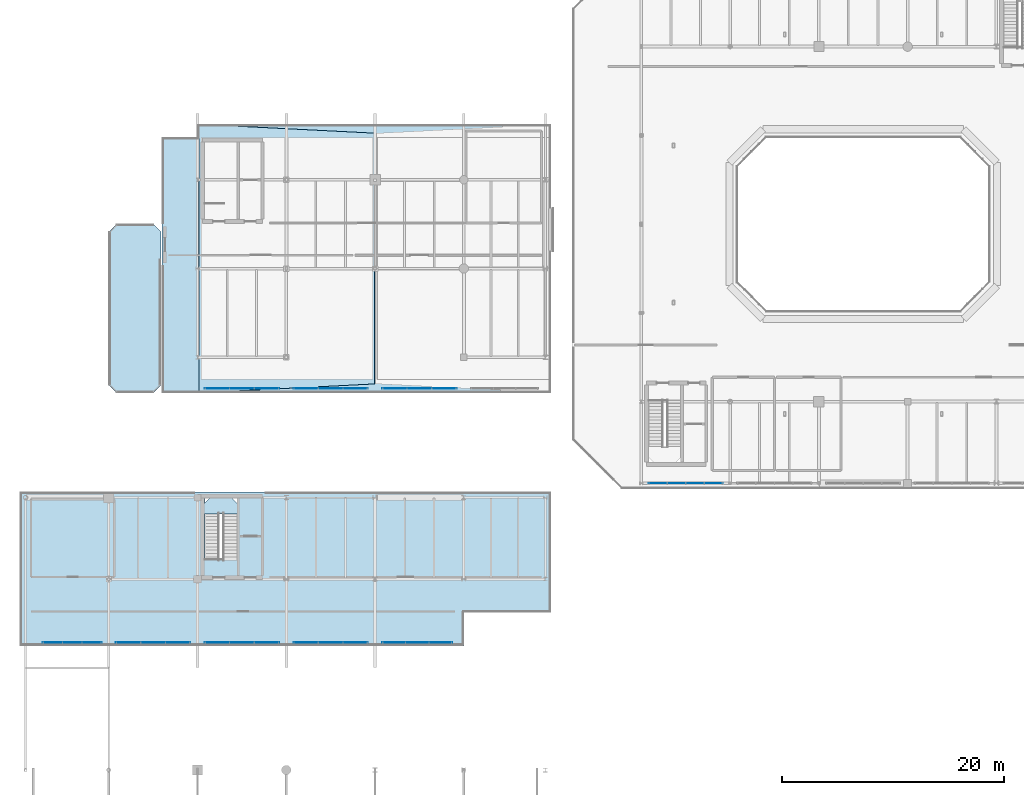
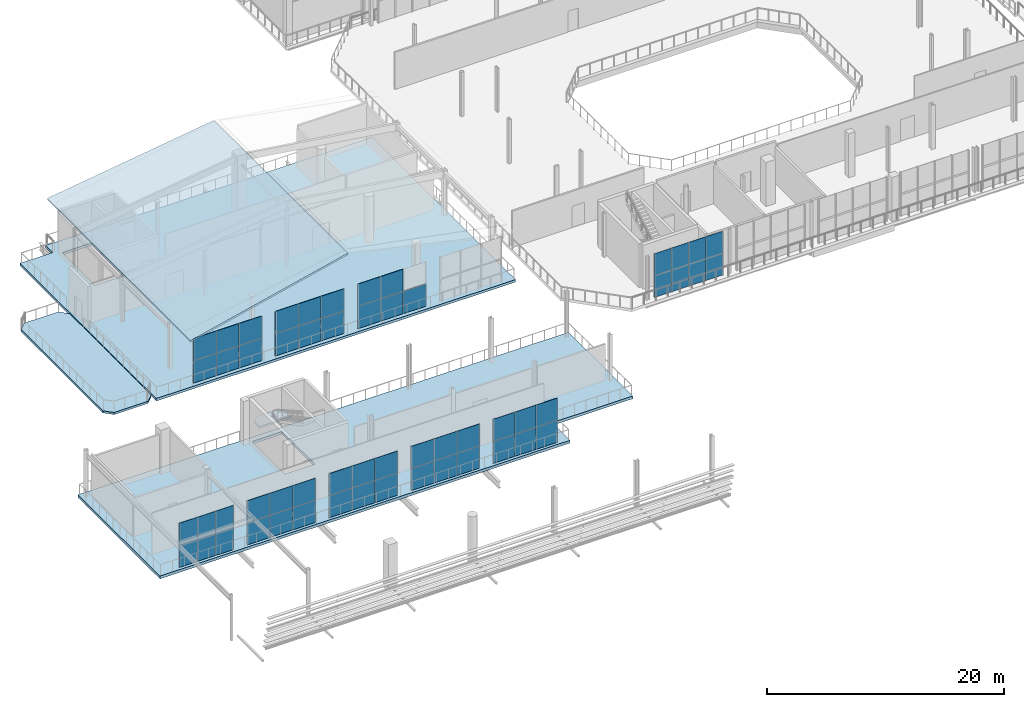
# One storey, part 42 of 70: 55 plates, 5 slabs, 10 elements without a shape of their own.
"""IFC4 building model written with IfcOpenShell, lengths in metres."""

from ifc_helpers import new_model, si_unit, direction, frame, origin, origin_2d, place, context, subcontext, project, spatial, polyline, rectangle, outline, extrude, material, layer, layer_set, type_object, element, aggregate, save


model = new_model("IFC4")

# Units and contexts
model_context = context("Model", 3, precision=1e-05, world=origin(), true_north=direction((0.0, 1.0)))
body_context = subcontext(model_context, "Body", "Model", "MODEL_VIEW")
ifc_project = project(units=[si_unit("LENGTHUNIT", "METRE"), si_unit("AREAUNIT", "SQUARE_METRE"), si_unit("VOLUMEUNIT", "CUBIC_METRE"), si_unit("PLANEANGLEUNIT", "RADIAN"), si_unit("MASSUNIT", "GRAM", prefix="KILO")], contexts=[model_context])

# Site, building, storey
site_placement = place(None, origin())
site = spatial("IfcSite", under=ifc_project, at=site_placement, CompositionType="ELEMENT")
building_placement = place(site_placement, origin())
building = spatial("IfcBuilding", under=site, at=building_placement, Name="Brisemont Oceanarium", CompositionType="ELEMENT")
storey_placement = place(building_placement, frame((0.0, 0.0, 10.199951171875)))
storey = spatial("IfcBuildingStorey", under=building, at=storey_placement, Name="L02", CompositionType="ELEMENT", Elevation=10.199951171875)

# Curtain wall, plates
ifc_material_1 = material(Name="Anodized Extruded Aluminum 6063-T6", Category="aluminium")
curtain_wall_type_1 = type_object("IfcCurtainWallType", Name="CW-CLR-48X34", PredefinedType="NOTDEFINED", material=ifc_material_1)
curtain_wall_1_placement = place(storey_placement, origin())
curtain_wall_1 = element("IfcCurtainWall", 1, at=curtain_wall_1_placement, inside=storey, type_object=curtain_wall_type_1, Name="CW-22 curtain wall CW-V2-S-L02-01", PredefinedType="NOTDEFINED")
ifc_material_2 = material(Name="Ceramic-Fritted Spandrel Glass", Category="glass")
ifc_layer_1 = layer(ifc_material_2, 0.030029296875)
ifc_layer_set_1 = layer_set([ifc_layer_1], Name="Ceramic-Fritted Spandrel Glass")
plate_type_1 = type_object("IfcPlateType", Name="PLT-CWP-S4", PredefinedType="CURTAIN_PANEL", material=ifc_layer_set_1)
plate_1_placement = place(storey_placement, frame((10.933349609375, 18.300048828125, 0.00146484375), z_axis=(0.0, 0.0, 1.0), x_axis=(1.0, 0.0, 0.0)))
plate_1 = element("IfcPlate", 2, at=plate_1_placement, type_object=plate_type_1, Name="CW-V2-S-L02-01 panel 1.1", PredefinedType="CURTAIN_PANEL", context=body_context, shape_type="SweptSolid", body=[
    extrude(rectangle(XDim=1.763671875, YDim=0.030029296875, at=origin_2d()), origin(), (0.0, 0.0, 1.0), 2.277099609375),
])
plate_2_placement = place(storey_placement, frame((10.933349609375, 18.300048828125, 2.28173828125), z_axis=(0.0, 0.0, 1.0), x_axis=(1.0, 0.0, 0.0)))
plate_2 = element("IfcPlate", 3, at=plate_2_placement, type_object=plate_type_1, Name="CW-V2-S-L02-01 panel 1.2", PredefinedType="CURTAIN_PANEL", context=body_context, shape_type="SweptSolid", body=[
    extrude(rectangle(XDim=1.763671875, YDim=0.030029296875, at=origin_2d()), origin(), (0.0, 0.0, 1.0), 2.277099609375),
])
plate_3_placement = place(storey_placement, frame((12.699951171875, 18.300048828125, 0.00146484375), z_axis=(0.0, 0.0, 1.0), x_axis=(1.0, 0.0, 0.0)))
plate_3 = element("IfcPlate", 4, at=plate_3_placement, type_object=plate_type_1, Name="CW-V2-S-L02-01 panel 2.1", PredefinedType="CURTAIN_PANEL", context=body_context, shape_type="SweptSolid", body=[
    extrude(rectangle(XDim=1.763671875, YDim=0.030029296875, at=origin_2d()), origin(), (0.0, 0.0, 1.0), 2.277099609375),
])
plate_4_placement = place(storey_placement, frame((12.699951171875, 18.300048828125, 2.28173828125), z_axis=(0.0, 0.0, 1.0), x_axis=(1.0, 0.0, 0.0)))
plate_4 = element("IfcPlate", 5, at=plate_4_placement, type_object=plate_type_1, Name="CW-V2-S-L02-01 panel 2.2", PredefinedType="CURTAIN_PANEL", context=body_context, shape_type="SweptSolid", body=[
    extrude(rectangle(XDim=1.763671875, YDim=0.030029296875, at=origin_2d()), origin(), (0.0, 0.0, 1.0), 2.277099609375),
])
plate_5_placement = place(storey_placement, frame((14.466796875, 18.300048828125, 0.00146484375), z_axis=(0.0, 0.0, 1.0), x_axis=(1.0, 0.0, 0.0)))
plate_5 = element("IfcPlate", 6, at=plate_5_placement, type_object=plate_type_1, Name="CW-V2-S-L02-01 panel 3.1", PredefinedType="CURTAIN_PANEL", context=body_context, shape_type="SweptSolid", body=[
    extrude(rectangle(XDim=1.763671875, YDim=0.030029296875, at=origin_2d()), origin(), (0.0, 0.0, 1.0), 2.277099609375),
])
plate_6_placement = place(storey_placement, frame((14.466796875, 18.300048828125, 2.28173828125), z_axis=(0.0, 0.0, 1.0), x_axis=(1.0, 0.0, 0.0)))
plate_6 = element("IfcPlate", 7, at=plate_6_placement, type_object=plate_type_1, Name="CW-V2-S-L02-01 panel 3.2", PredefinedType="CURTAIN_PANEL", context=body_context, shape_type="SweptSolid", body=[
    extrude(rectangle(XDim=1.763671875, YDim=0.030029296875, at=origin_2d()), origin(), (0.0, 0.0, 1.0), 2.277099609375),
])
aggregate(curtain_wall_1, [plate_1, plate_2, plate_3, plate_4, plate_5, plate_6])

curtain_wall_2_placement = place(storey_placement, origin())
curtain_wall_2 = element("IfcCurtainWall", 8, at=curtain_wall_2_placement, inside=storey, type_object=curtain_wall_type_1, Name="CW-22 curtain wall CW-V2-S-L02-02", PredefinedType="NOTDEFINED")
plate_7_placement = place(storey_placement, frame((17.7666015625, 18.300048828125, 0.00146484375), z_axis=(0.0, 0.0, 1.0), x_axis=(1.0, 0.0, 0.0)))
plate_7 = element("IfcPlate", 9, at=plate_7_placement, type_object=plate_type_1, Name="CW-V2-S-L02-02 panel 1.1", PredefinedType="CURTAIN_PANEL", context=body_context, shape_type="SweptSolid", body=[
    extrude(rectangle(XDim=2.230224609375, YDim=0.030029296875, at=origin_2d()), origin(), (0.0, 0.0, 1.0), 2.277099609375),
])
plate_8_placement = place(storey_placement, frame((17.7666015625, 18.300048828125, 2.28173828125), z_axis=(0.0, 0.0, 1.0), x_axis=(1.0, 0.0, 0.0)))
plate_8 = element("IfcPlate", 10, at=plate_8_placement, type_object=plate_type_1, Name="CW-V2-S-L02-02 panel 1.2", PredefinedType="CURTAIN_PANEL", context=body_context, shape_type="SweptSolid", body=[
    extrude(rectangle(XDim=2.230224609375, YDim=0.030029296875, at=origin_2d()), origin(), (0.0, 0.0, 1.0), 2.277099609375),
])
plate_9_placement = place(storey_placement, frame((20.0, 18.300048828125, 0.00146484375), z_axis=(0.0, 0.0, 1.0), x_axis=(1.0, 0.0, 0.0)))
plate_9 = element("IfcPlate", 11, at=plate_9_placement, type_object=plate_type_1, Name="CW-V2-S-L02-02 panel 2.1", PredefinedType="CURTAIN_PANEL", context=body_context, shape_type="SweptSolid", body=[
    extrude(rectangle(XDim=2.230224609375, YDim=0.030029296875, at=origin_2d()), origin(), (0.0, 0.0, 1.0), 2.277099609375),
])
plate_10_placement = place(storey_placement, frame((20.0, 18.300048828125, 2.28173828125), z_axis=(0.0, 0.0, 1.0), x_axis=(1.0, 0.0, 0.0)))
plate_10 = element("IfcPlate", 12, at=plate_10_placement, type_object=plate_type_1, Name="CW-V2-S-L02-02 panel 2.2", PredefinedType="CURTAIN_PANEL", context=body_context, shape_type="SweptSolid", body=[
    extrude(rectangle(XDim=2.230224609375, YDim=0.030029296875, at=origin_2d()), origin(), (0.0, 0.0, 1.0), 2.277099609375),
])
plate_11_placement = place(storey_placement, frame((22.2333984375, 18.300048828125, 0.00146484375), z_axis=(0.0, 0.0, 1.0), x_axis=(1.0, 0.0, 0.0)))
plate_11 = element("IfcPlate", 13, at=plate_11_placement, type_object=plate_type_1, Name="CW-V2-S-L02-02 panel 3.1", PredefinedType="CURTAIN_PANEL", context=body_context, shape_type="SweptSolid", body=[
    extrude(rectangle(XDim=2.230224609375, YDim=0.030029296875, at=origin_2d()), origin(), (0.0, 0.0, 1.0), 2.277099609375),
])
plate_12_placement = place(storey_placement, frame((22.2333984375, 18.300048828125, 2.28173828125), z_axis=(0.0, 0.0, 1.0), x_axis=(1.0, 0.0, 0.0)))
plate_12 = element("IfcPlate", 14, at=plate_12_placement, type_object=plate_type_1, Name="CW-V2-S-L02-02 panel 3.2", PredefinedType="CURTAIN_PANEL", context=body_context, shape_type="SweptSolid", body=[
    extrude(rectangle(XDim=2.230224609375, YDim=0.030029296875, at=origin_2d()), origin(), (0.0, 0.0, 1.0), 2.277099609375),
])
aggregate(curtain_wall_2, [plate_7, plate_8, plate_9, plate_10, plate_11, plate_12])

curtain_wall_3_placement = place(storey_placement, origin())
curtain_wall_3 = element("IfcCurtainWall", 15, at=curtain_wall_3_placement, inside=storey, type_object=curtain_wall_type_1, Name="CW-22 curtain wall CW-V2-S-L02-03", PredefinedType="NOTDEFINED")
plate_13_placement = place(storey_placement, frame((25.7666015625, 18.300048828125, 0.00146484375), z_axis=(0.0, 0.0, 1.0), x_axis=(1.0, 0.0, 0.0)))
plate_13 = element("IfcPlate", 16, at=plate_13_placement, type_object=plate_type_1, Name="CW-V2-S-L02-03 panel 1.1", PredefinedType="CURTAIN_PANEL", context=body_context, shape_type="SweptSolid", body=[
    extrude(rectangle(XDim=2.230224609375, YDim=0.030029296875, at=origin_2d()), origin(), (0.0, 0.0, 1.0), 2.277099609375),
])
plate_14_placement = place(storey_placement, frame((25.7666015625, 18.300048828125, 2.28173828125), z_axis=(0.0, 0.0, 1.0), x_axis=(1.0, 0.0, 0.0)))
plate_14 = element("IfcPlate", 17, at=plate_14_placement, type_object=plate_type_1, Name="CW-V2-S-L02-03 panel 1.2", PredefinedType="CURTAIN_PANEL", context=body_context, shape_type="SweptSolid", body=[
    extrude(rectangle(XDim=2.230224609375, YDim=0.030029296875, at=origin_2d()), origin(), (0.0, 0.0, 1.0), 2.277099609375),
])
plate_15_placement = place(storey_placement, frame((28.0, 18.300048828125, 0.00146484375), z_axis=(0.0, 0.0, 1.0), x_axis=(1.0, 0.0, 0.0)))
plate_15 = element("IfcPlate", 18, at=plate_15_placement, type_object=plate_type_1, Name="CW-V2-S-L02-03 panel 2.1", PredefinedType="CURTAIN_PANEL", context=body_context, shape_type="SweptSolid", body=[
    extrude(rectangle(XDim=2.230224609375, YDim=0.030029296875, at=origin_2d()), origin(), (0.0, 0.0, 1.0), 2.277099609375),
])
plate_16_placement = place(storey_placement, frame((28.0, 18.300048828125, 2.28173828125), z_axis=(0.0, 0.0, 1.0), x_axis=(1.0, 0.0, 0.0)))
plate_16 = element("IfcPlate", 19, at=plate_16_placement, type_object=plate_type_1, Name="CW-V2-S-L02-03 panel 2.2", PredefinedType="CURTAIN_PANEL", context=body_context, shape_type="SweptSolid", body=[
    extrude(rectangle(XDim=2.230224609375, YDim=0.030029296875, at=origin_2d()), origin(), (0.0, 0.0, 1.0), 2.277099609375),
])
plate_17_placement = place(storey_placement, frame((30.2333984375, 18.300048828125, 0.00146484375), z_axis=(0.0, 0.0, 1.0), x_axis=(1.0, 0.0, 0.0)))
plate_17 = element("IfcPlate", 20, at=plate_17_placement, type_object=plate_type_1, Name="CW-V2-S-L02-03 panel 3.1", PredefinedType="CURTAIN_PANEL", context=body_context, shape_type="SweptSolid", body=[
    extrude(rectangle(XDim=2.230224609375, YDim=0.030029296875, at=origin_2d()), origin(), (0.0, 0.0, 1.0), 2.277099609375),
])
plate_18_placement = place(storey_placement, frame((30.2333984375, 18.300048828125, 2.28173828125), z_axis=(0.0, 0.0, 1.0), x_axis=(1.0, 0.0, 0.0)))
plate_18 = element("IfcPlate", 21, at=plate_18_placement, type_object=plate_type_1, Name="CW-V2-S-L02-03 panel 3.2", PredefinedType="CURTAIN_PANEL", context=body_context, shape_type="SweptSolid", body=[
    extrude(rectangle(XDim=2.230224609375, YDim=0.030029296875, at=origin_2d()), origin(), (0.0, 0.0, 1.0), 2.277099609375),
])
aggregate(curtain_wall_3, [plate_13, plate_14, plate_15, plate_16, plate_17, plate_18])

curtain_wall_4_placement = place(storey_placement, origin())
curtain_wall_4 = element("IfcCurtainWall", 22, at=curtain_wall_4_placement, inside=storey, type_object=curtain_wall_type_1, Name="CW-22 curtain wall CW-V2-S-L02-04", PredefinedType="NOTDEFINED")
plate_19_placement = place(storey_placement, frame((33.7666015625, 18.300048828125, 0.00146484375), z_axis=(0.0, 0.0, 1.0), x_axis=(1.0, 0.0, 0.0)))
plate_19 = element("IfcPlate", 23, at=plate_19_placement, type_object=plate_type_1, Name="CW-V2-S-L02-04 panel 1.1", PredefinedType="CURTAIN_PANEL", context=body_context, shape_type="SweptSolid", body=[
    extrude(rectangle(XDim=2.230224609375, YDim=0.030029296875, at=origin_2d()), origin(), (0.0, 0.0, 1.0), 2.277099609375),
])
plate_20_placement = place(storey_placement, frame((33.7666015625, 18.300048828125, 2.28173828125), z_axis=(0.0, 0.0, 1.0), x_axis=(1.0, 0.0, 0.0)))
plate_20 = element("IfcPlate", 24, at=plate_20_placement, type_object=plate_type_1, Name="CW-V2-S-L02-04 panel 1.2", PredefinedType="CURTAIN_PANEL", context=body_context, shape_type="SweptSolid", body=[
    extrude(rectangle(XDim=2.230224609375, YDim=0.030029296875, at=origin_2d()), origin(), (0.0, 0.0, 1.0), 2.277099609375),
])
plate_21_placement = place(storey_placement, frame((36.0, 18.300048828125, 0.00146484375), z_axis=(0.0, 0.0, 1.0), x_axis=(1.0, 0.0, 0.0)))
plate_21 = element("IfcPlate", 25, at=plate_21_placement, type_object=plate_type_1, Name="CW-V2-S-L02-04 panel 2.1", PredefinedType="CURTAIN_PANEL", context=body_context, shape_type="SweptSolid", body=[
    extrude(rectangle(XDim=2.230224609375, YDim=0.030029296875, at=origin_2d()), origin(), (0.0, 0.0, 1.0), 2.277099609375),
])
plate_22_placement = place(storey_placement, frame((36.0, 18.300048828125, 2.28173828125), z_axis=(0.0, 0.0, 1.0), x_axis=(1.0, 0.0, 0.0)))
plate_22 = element("IfcPlate", 26, at=plate_22_placement, type_object=plate_type_1, Name="CW-V2-S-L02-04 panel 2.2", PredefinedType="CURTAIN_PANEL", context=body_context, shape_type="SweptSolid", body=[
    extrude(rectangle(XDim=2.230224609375, YDim=0.030029296875, at=origin_2d()), origin(), (0.0, 0.0, 1.0), 2.277099609375),
])
plate_23_placement = place(storey_placement, frame((38.2333984375, 18.300048828125, 0.00146484375), z_axis=(0.0, 0.0, 1.0), x_axis=(1.0, 0.0, 0.0)))
plate_23 = element("IfcPlate", 27, at=plate_23_placement, type_object=plate_type_1, Name="CW-V2-S-L02-04 panel 3.1", PredefinedType="CURTAIN_PANEL", context=body_context, shape_type="SweptSolid", body=[
    extrude(rectangle(XDim=2.230224609375, YDim=0.030029296875, at=origin_2d()), origin(), (0.0, 0.0, 1.0), 2.277099609375),
])
plate_24_placement = place(storey_placement, frame((38.2333984375, 18.300048828125, 2.28173828125), z_axis=(0.0, 0.0, 1.0), x_axis=(1.0, 0.0, 0.0)))
plate_24 = element("IfcPlate", 28, at=plate_24_placement, type_object=plate_type_1, Name="CW-V2-S-L02-04 panel 3.2", PredefinedType="CURTAIN_PANEL", context=body_context, shape_type="SweptSolid", body=[
    extrude(rectangle(XDim=2.230224609375, YDim=0.030029296875, at=origin_2d()), origin(), (0.0, 0.0, 1.0), 2.277099609375),
])
aggregate(curtain_wall_4, [plate_19, plate_20, plate_21, plate_22, plate_23, plate_24])

curtain_wall_5_placement = place(storey_placement, origin())
curtain_wall_5 = element("IfcCurtainWall", 29, at=curtain_wall_5_placement, inside=storey, type_object=curtain_wall_type_1, Name="CW-22 curtain wall CW-V2-S-L02-05", PredefinedType="NOTDEFINED")
plate_25_placement = place(storey_placement, frame((41.699951171875, 18.300048828125, 0.00146484375), z_axis=(0.0, 0.0, 1.0), x_axis=(1.0, 0.0, 0.0)))
plate_25 = element("IfcPlate", 30, at=plate_25_placement, type_object=plate_type_1, Name="CW-V2-S-L02-05 panel 1.1", PredefinedType="CURTAIN_PANEL", context=body_context, shape_type="SweptSolid", body=[
    extrude(rectangle(XDim=2.096923828125, YDim=0.030029296875, at=origin_2d()), origin(), (0.0, 0.0, 1.0), 2.277099609375),
])
plate_26_placement = place(storey_placement, frame((41.699951171875, 18.300048828125, 2.28173828125), z_axis=(0.0, 0.0, 1.0), x_axis=(1.0, 0.0, 0.0)))
plate_26 = element("IfcPlate", 31, at=plate_26_placement, type_object=plate_type_1, Name="CW-V2-S-L02-05 panel 1.2", PredefinedType="CURTAIN_PANEL", context=body_context, shape_type="SweptSolid", body=[
    extrude(rectangle(XDim=2.096923828125, YDim=0.030029296875, at=origin_2d()), origin(), (0.0, 0.0, 1.0), 2.277099609375),
])
plate_27_placement = place(storey_placement, frame((43.800048828125, 18.300048828125, 0.00146484375), z_axis=(0.0, 0.0, 1.0), x_axis=(1.0, 0.0, 0.0)))
plate_27 = element("IfcPlate", 32, at=plate_27_placement, type_object=plate_type_1, Name="CW-V2-S-L02-05 panel 2.1", PredefinedType="CURTAIN_PANEL", context=body_context, shape_type="SweptSolid", body=[
    extrude(rectangle(XDim=2.096923828125, YDim=0.030029296875, at=origin_2d()), origin(), (0.0, 0.0, 1.0), 2.277099609375),
])
plate_28_placement = place(storey_placement, frame((43.800048828125, 18.300048828125, 2.28173828125), z_axis=(0.0, 0.0, 1.0), x_axis=(1.0, 0.0, 0.0)))
plate_28 = element("IfcPlate", 33, at=plate_28_placement, type_object=plate_type_1, Name="CW-V2-S-L02-05 panel 2.2", PredefinedType="CURTAIN_PANEL", context=body_context, shape_type="SweptSolid", body=[
    extrude(rectangle(XDim=2.096923828125, YDim=0.030029296875, at=origin_2d()), origin(), (0.0, 0.0, 1.0), 2.277099609375),
])
plate_29_placement = place(storey_placement, frame((45.89990234375, 18.300048828125, 0.00146484375), z_axis=(0.0, 0.0, 1.0), x_axis=(1.0, 0.0, 0.0)))
plate_29 = element("IfcPlate", 34, at=plate_29_placement, type_object=plate_type_1, Name="CW-V2-S-L02-05 panel 3.1", PredefinedType="CURTAIN_PANEL", context=body_context, shape_type="SweptSolid", body=[
    extrude(rectangle(XDim=2.096923828125, YDim=0.030029296875, at=origin_2d()), origin(), (0.0, 0.0, 1.0), 2.277099609375),
])
plate_30_placement = place(storey_placement, frame((45.89990234375, 18.300048828125, 2.28173828125), z_axis=(0.0, 0.0, 1.0), x_axis=(1.0, 0.0, 0.0)))
plate_30 = element("IfcPlate", 35, at=plate_30_placement, type_object=plate_type_1, Name="CW-V2-S-L02-05 panel 3.2", PredefinedType="CURTAIN_PANEL", context=body_context, shape_type="SweptSolid", body=[
    extrude(rectangle(XDim=2.096923828125, YDim=0.030029296875, at=origin_2d()), origin(), (0.0, 0.0, 1.0), 2.277099609375),
])
aggregate(curtain_wall_5, [plate_25, plate_26, plate_27, plate_28, plate_29, plate_30])

ifc_material_3 = material(Name="Anodized Extruded Aluminum 6063-T6", Category="aluminium")
curtain_wall_type_2 = type_object("IfcCurtainWallType", Name="CW-GAL-54X42", PredefinedType="NOTDEFINED", material=ifc_material_3)
curtain_wall_6_placement = place(storey_placement, origin())
curtain_wall_6 = element("IfcCurtainWall", 36, at=curtain_wall_6_placement, inside=storey, type_object=curtain_wall_type_2, Name="CW-14 curtain wall CW-V5W-S-L02-01", PredefinedType="NOTDEFINED")
plate_31_placement = place(storey_placement, frame((25.7666015625, 41.199951171875, 0.00146484375), z_axis=(0.0, 0.0, 1.0), x_axis=(1.0, 0.0, 0.0)))
plate_31 = element("IfcPlate", 37, at=plate_31_placement, type_object=plate_type_1, Name="CW-V5W-S-L02-01 panel 1.1", PredefinedType="CURTAIN_PANEL", context=body_context, shape_type="SweptSolid", body=[
    extrude(rectangle(XDim=2.230224609375, YDim=0.030029296875, at=origin_2d()), origin(), (0.0, 0.0, 1.0), 2.297119140625),
])
plate_32_placement = place(storey_placement, frame((25.7666015625, 41.199951171875, 2.30126953125), z_axis=(0.0, 0.0, 1.0), x_axis=(1.0, 0.0, 0.0)))
plate_32 = element("IfcPlate", 38, at=plate_32_placement, type_object=plate_type_1, Name="CW-V5W-S-L02-01 panel 1.2", PredefinedType="CURTAIN_PANEL", context=body_context, shape_type="SweptSolid", body=[
    extrude(rectangle(XDim=2.230224609375, YDim=0.030029296875, at=origin_2d()), origin(), (0.0, 0.0, 1.0), 2.297119140625),
])
plate_33_placement = place(storey_placement, frame((28.0, 41.199951171875, 0.00146484375), z_axis=(0.0, 0.0, 1.0), x_axis=(1.0, 0.0, 0.0)))
plate_33 = element("IfcPlate", 39, at=plate_33_placement, type_object=plate_type_1, Name="CW-V5W-S-L02-01 panel 2.1", PredefinedType="CURTAIN_PANEL", context=body_context, shape_type="SweptSolid", body=[
    extrude(rectangle(XDim=2.230224609375, YDim=0.030029296875, at=origin_2d()), origin(), (0.0, 0.0, 1.0), 2.297119140625),
])
plate_34_placement = place(storey_placement, frame((28.0, 41.199951171875, 2.30126953125), z_axis=(0.0, 0.0, 1.0), x_axis=(1.0, 0.0, 0.0)))
plate_34 = element("IfcPlate", 40, at=plate_34_placement, type_object=plate_type_1, Name="CW-V5W-S-L02-01 panel 2.2", PredefinedType="CURTAIN_PANEL", context=body_context, shape_type="SweptSolid", body=[
    extrude(rectangle(XDim=2.230224609375, YDim=0.030029296875, at=origin_2d()), origin(), (0.0, 0.0, 1.0), 2.297119140625),
])
plate_35_placement = place(storey_placement, frame((30.2333984375, 41.199951171875, 0.00146484375), z_axis=(0.0, 0.0, 1.0), x_axis=(1.0, 0.0, 0.0)))
plate_35 = element("IfcPlate", 41, at=plate_35_placement, type_object=plate_type_1, Name="CW-V5W-S-L02-01 panel 3.1", PredefinedType="CURTAIN_PANEL", context=body_context, shape_type="SweptSolid", body=[
    extrude(rectangle(XDim=2.230224609375, YDim=0.030029296875, at=origin_2d()), origin(), (0.0, 0.0, 1.0), 2.297119140625),
])
plate_36_placement = place(storey_placement, frame((30.2333984375, 41.199951171875, 2.30126953125), z_axis=(0.0, 0.0, 1.0), x_axis=(1.0, 0.0, 0.0)))
plate_36 = element("IfcPlate", 42, at=plate_36_placement, type_object=plate_type_1, Name="CW-V5W-S-L02-01 panel 3.2", PredefinedType="CURTAIN_PANEL", context=body_context, shape_type="SweptSolid", body=[
    extrude(rectangle(XDim=2.230224609375, YDim=0.030029296875, at=origin_2d()), origin(), (0.0, 0.0, 1.0), 2.297119140625),
])
aggregate(curtain_wall_6, [plate_31, plate_32, plate_33, plate_34, plate_35, plate_36])

curtain_wall_7_placement = place(storey_placement, origin())
curtain_wall_7 = element("IfcCurtainWall", 43, at=curtain_wall_7_placement, inside=storey, type_object=curtain_wall_type_2, Name="CW-14 curtain wall CW-V5W-S-L02-02", PredefinedType="NOTDEFINED")
plate_37_placement = place(storey_placement, frame((33.7666015625, 41.199951171875, 0.00146484375), z_axis=(0.0, 0.0, 1.0), x_axis=(1.0, 0.0, 0.0)))
plate_37 = element("IfcPlate", 44, at=plate_37_placement, type_object=plate_type_1, Name="CW-V5W-S-L02-02 panel 1.1", PredefinedType="CURTAIN_PANEL", context=body_context, shape_type="SweptSolid", body=[
    extrude(rectangle(XDim=2.230224609375, YDim=0.030029296875, at=origin_2d()), origin(), (0.0, 0.0, 1.0), 2.297119140625),
])
plate_38_placement = place(storey_placement, frame((33.7666015625, 41.199951171875, 2.30126953125), z_axis=(0.0, 0.0, 1.0), x_axis=(1.0, 0.0, 0.0)))
plate_38 = element("IfcPlate", 45, at=plate_38_placement, type_object=plate_type_1, Name="CW-V5W-S-L02-02 panel 1.2", PredefinedType="CURTAIN_PANEL", context=body_context, shape_type="SweptSolid", body=[
    extrude(rectangle(XDim=2.230224609375, YDim=0.030029296875, at=origin_2d()), origin(), (0.0, 0.0, 1.0), 2.297119140625),
])
plate_39_placement = place(storey_placement, frame((36.0, 41.199951171875, 0.00146484375), z_axis=(0.0, 0.0, 1.0), x_axis=(1.0, 0.0, 0.0)))
plate_39 = element("IfcPlate", 46, at=plate_39_placement, type_object=plate_type_1, Name="CW-V5W-S-L02-02 panel 2.1", PredefinedType="CURTAIN_PANEL", context=body_context, shape_type="SweptSolid", body=[
    extrude(rectangle(XDim=2.230224609375, YDim=0.030029296875, at=origin_2d()), origin(), (0.0, 0.0, 1.0), 2.297119140625),
])
plate_40_placement = place(storey_placement, frame((36.0, 41.199951171875, 2.30126953125), z_axis=(0.0, 0.0, 1.0), x_axis=(1.0, 0.0, 0.0)))
plate_40 = element("IfcPlate", 47, at=plate_40_placement, type_object=plate_type_1, Name="CW-V5W-S-L02-02 panel 2.2", PredefinedType="CURTAIN_PANEL", context=body_context, shape_type="SweptSolid", body=[
    extrude(rectangle(XDim=2.230224609375, YDim=0.030029296875, at=origin_2d()), origin(), (0.0, 0.0, 1.0), 2.297119140625),
])
plate_41_placement = place(storey_placement, frame((38.2333984375, 41.199951171875, 0.00146484375), z_axis=(0.0, 0.0, 1.0), x_axis=(1.0, 0.0, 0.0)))
plate_41 = element("IfcPlate", 48, at=plate_41_placement, type_object=plate_type_1, Name="CW-V5W-S-L02-02 panel 3.1", PredefinedType="CURTAIN_PANEL", context=body_context, shape_type="SweptSolid", body=[
    extrude(rectangle(XDim=2.230224609375, YDim=0.030029296875, at=origin_2d()), origin(), (0.0, 0.0, 1.0), 2.297119140625),
])
plate_42_placement = place(storey_placement, frame((38.2333984375, 41.199951171875, 2.30126953125), z_axis=(0.0, 0.0, 1.0), x_axis=(1.0, 0.0, 0.0)))
plate_42 = element("IfcPlate", 49, at=plate_42_placement, type_object=plate_type_1, Name="CW-V5W-S-L02-02 panel 3.2", PredefinedType="CURTAIN_PANEL", context=body_context, shape_type="SweptSolid", body=[
    extrude(rectangle(XDim=2.230224609375, YDim=0.030029296875, at=origin_2d()), origin(), (0.0, 0.0, 1.0), 2.297119140625),
])
aggregate(curtain_wall_7, [plate_37, plate_38, plate_39, plate_40, plate_41, plate_42])

curtain_wall_8_placement = place(storey_placement, origin())
curtain_wall_8 = element("IfcCurtainWall", 50, at=curtain_wall_8_placement, inside=storey, type_object=curtain_wall_type_2, Name="CW-14 curtain wall CW-V5W-S-L02-03", PredefinedType="NOTDEFINED")
plate_43_placement = place(storey_placement, frame((41.7666015625, 41.199951171875, 0.00146484375), z_axis=(0.0, 0.0, 1.0), x_axis=(1.0, 0.0, 0.0)))
plate_43 = element("IfcPlate", 51, at=plate_43_placement, type_object=plate_type_1, Name="CW-V5W-S-L02-03 panel 1.1", PredefinedType="CURTAIN_PANEL", context=body_context, shape_type="SweptSolid", body=[
    extrude(rectangle(XDim=2.230224609375, YDim=0.030029296875, at=origin_2d()), origin(), (0.0, 0.0, 1.0), 2.297119140625),
])
plate_44_placement = place(storey_placement, frame((41.7666015625, 41.199951171875, 2.30126953125), z_axis=(0.0, 0.0, 1.0), x_axis=(1.0, 0.0, 0.0)))
plate_44 = element("IfcPlate", 52, at=plate_44_placement, type_object=plate_type_1, Name="CW-V5W-S-L02-03 panel 1.2", PredefinedType="CURTAIN_PANEL", context=body_context, shape_type="SweptSolid", body=[
    extrude(rectangle(XDim=2.230224609375, YDim=0.030029296875, at=origin_2d()), origin(), (0.0, 0.0, 1.0), 2.297119140625),
])
plate_45_placement = place(storey_placement, frame((44.0, 41.199951171875, 0.00146484375), z_axis=(0.0, 0.0, 1.0), x_axis=(1.0, 0.0, 0.0)))
plate_45 = element("IfcPlate", 53, at=plate_45_placement, type_object=plate_type_1, Name="CW-V5W-S-L02-03 panel 2.1", PredefinedType="CURTAIN_PANEL", context=body_context, shape_type="SweptSolid", body=[
    extrude(rectangle(XDim=2.230224609375, YDim=0.030029296875, at=origin_2d()), origin(), (0.0, 0.0, 1.0), 2.297119140625),
])
plate_46_placement = place(storey_placement, frame((44.0, 41.199951171875, 2.30126953125), z_axis=(0.0, 0.0, 1.0), x_axis=(1.0, 0.0, 0.0)))
plate_46 = element("IfcPlate", 54, at=plate_46_placement, type_object=plate_type_1, Name="CW-V5W-S-L02-03 panel 2.2", PredefinedType="CURTAIN_PANEL", context=body_context, shape_type="SweptSolid", body=[
    extrude(rectangle(XDim=2.230224609375, YDim=0.030029296875, at=origin_2d()), origin(), (0.0, 0.0, 1.0), 2.297119140625),
])
plate_47_placement = place(storey_placement, frame((46.2333984375, 41.199951171875, 0.00146484375), z_axis=(0.0, 0.0, 1.0), x_axis=(1.0, 0.0, 0.0)))
plate_47 = element("IfcPlate", 55, at=plate_47_placement, type_object=plate_type_1, Name="CW-V5W-S-L02-03 panel 3.1", PredefinedType="CURTAIN_PANEL", context=body_context, shape_type="SweptSolid", body=[
    extrude(rectangle(XDim=2.230224609375, YDim=0.030029296875, at=origin_2d()), origin(), (0.0, 0.0, 1.0), 2.297119140625),
])
aggregate(curtain_wall_8, [plate_43, plate_44, plate_45, plate_46, plate_47])

ifc_material_4 = material(Name="Anodized Extruded Aluminum 6063-T6", Category="aluminium")
curtain_wall_type_3 = type_object("IfcCurtainWallType", Name="CW-ROT-69X45", PredefinedType="NOTDEFINED", material=ifc_material_4)
curtain_wall_9_placement = place(storey_placement, origin())
curtain_wall_9 = element("IfcCurtainWall", 56, at=curtain_wall_9_placement, inside=storey, type_object=curtain_wall_type_3, Name="CW-02 curtain wall CW-V1-S-L02-01", PredefinedType="NOTDEFINED")
ifc_material_5 = material(Name="Insulated Low-E Laminated Glass", Category="glass")
ifc_layer_2 = layer(ifc_material_5, 0.028076171875)
ifc_layer_set_2 = layer_set([ifc_layer_2], Name="Insulated Low-E Laminated Glass")
plate_type_2 = type_object("IfcPlateType", Name="PLT-CWP-V2", PredefinedType="CURTAIN_PANEL", material=ifc_layer_set_2)
plate_48_placement = place(storey_placement, frame((65.487548828125, 32.64990234375, 0.00146484375), z_axis=(0.0, 0.0, 1.0), x_axis=(1.0, 0.0, 0.0)))
plate_48 = element("IfcPlate", 57, at=plate_48_placement, type_object=plate_type_2, Name="CW-V1-S-L02-01 panel 1.1", PredefinedType="CURTAIN_PANEL", context=body_context, shape_type="SweptSolid", body=[
    extrude(rectangle(XDim=1.672119140625, YDim=0.028076171875, at=origin_2d()), origin(), (0.0, 0.0, 1.0), 2.257080078125),
])
plate_49_placement = place(storey_placement, frame((65.487548828125, 32.64990234375, 2.26171875), z_axis=(0.0, 0.0, 1.0), x_axis=(1.0, 0.0, 0.0)))
plate_49 = element("IfcPlate", 58, at=plate_49_placement, type_object=plate_type_2, Name="CW-V1-S-L02-01 panel 1.2", PredefinedType="CURTAIN_PANEL", context=body_context, shape_type="SweptSolid", body=[
    extrude(rectangle(XDim=1.672119140625, YDim=0.028076171875, at=origin_2d()), origin(), (0.0, 0.0, 1.0), 2.257080078125),
])
plate_50_placement = place(storey_placement, frame((67.16259765625, 32.64990234375, 0.00146484375), z_axis=(0.0, 0.0, 1.0), x_axis=(1.0, 0.0, 0.0)))
plate_50 = element("IfcPlate", 59, at=plate_50_placement, type_object=plate_type_2, Name="CW-V1-S-L02-01 panel 2.1", PredefinedType="CURTAIN_PANEL", context=body_context, shape_type="SweptSolid", body=[
    extrude(rectangle(XDim=1.672119140625, YDim=0.028076171875, at=origin_2d()), origin(), (0.0, 0.0, 1.0), 2.257080078125),
])
plate_51_placement = place(storey_placement, frame((67.16259765625, 32.64990234375, 2.26171875), z_axis=(0.0, 0.0, 1.0), x_axis=(1.0, 0.0, 0.0)))
plate_51 = element("IfcPlate", 60, at=plate_51_placement, type_object=plate_type_2, Name="CW-V1-S-L02-01 panel 2.2", PredefinedType="CURTAIN_PANEL", context=body_context, shape_type="SweptSolid", body=[
    extrude(rectangle(XDim=1.672119140625, YDim=0.028076171875, at=origin_2d()), origin(), (0.0, 0.0, 1.0), 2.257080078125),
])
plate_52_placement = place(storey_placement, frame((68.83740234375, 32.64990234375, 0.00146484375), z_axis=(0.0, 0.0, 1.0), x_axis=(1.0, 0.0, 0.0)))
plate_52 = element("IfcPlate", 61, at=plate_52_placement, type_object=plate_type_2, Name="CW-V1-S-L02-01 panel 3.1", PredefinedType="CURTAIN_PANEL", context=body_context, shape_type="SweptSolid", body=[
    extrude(rectangle(XDim=1.672119140625, YDim=0.028076171875, at=origin_2d()), origin(), (0.0, 0.0, 1.0), 2.257080078125),
])
plate_53_placement = place(storey_placement, frame((68.83740234375, 32.64990234375, 2.26171875), z_axis=(0.0, 0.0, 1.0), x_axis=(1.0, 0.0, 0.0)))
plate_53 = element("IfcPlate", 62, at=plate_53_placement, type_object=plate_type_2, Name="CW-V1-S-L02-01 panel 3.2", PredefinedType="CURTAIN_PANEL", context=body_context, shape_type="SweptSolid", body=[
    extrude(rectangle(XDim=1.672119140625, YDim=0.028076171875, at=origin_2d()), origin(), (0.0, 0.0, 1.0), 2.257080078125),
])
plate_54_placement = place(storey_placement, frame((70.512451171875, 32.64990234375, 0.00146484375), z_axis=(0.0, 0.0, 1.0), x_axis=(1.0, 0.0, 0.0)))
plate_54 = element("IfcPlate", 63, at=plate_54_placement, type_object=plate_type_2, Name="CW-V1-S-L02-01 panel 4.1", PredefinedType="CURTAIN_PANEL", context=body_context, shape_type="SweptSolid", body=[
    extrude(rectangle(XDim=1.672119140625, YDim=0.028076171875, at=origin_2d()), origin(), (0.0, 0.0, 1.0), 2.257080078125),
])
plate_55_placement = place(storey_placement, frame((70.512451171875, 32.64990234375, 2.26171875), z_axis=(0.0, 0.0, 1.0), x_axis=(1.0, 0.0, 0.0)))
plate_55 = element("IfcPlate", 64, at=plate_55_placement, type_object=plate_type_2, Name="CW-V1-S-L02-01 panel 4.2", PredefinedType="CURTAIN_PANEL", context=body_context, shape_type="SweptSolid", body=[
    extrude(rectangle(XDim=1.672119140625, YDim=0.028076171875, at=origin_2d()), origin(), (0.0, 0.0, 1.0), 2.257080078125),
])
aggregate(curtain_wall_9, [plate_48, plate_49, plate_50, plate_51, plate_52, plate_53, plate_54, plate_55])

# Slabs
ifc_material_6 = material(Name="Concrete C35/45", Category="concrete")
ifc_layer_3 = layer(ifc_material_6, 0.260009765625)
ifc_layer_set_3 = layer_set([ifc_layer_3], Name="Concrete C35/45")
slab_type_1 = type_object("IfcSlabType", Name="SLB-FLR-260", PredefinedType="FLOOR", material=ifc_layer_set_3)
slab_1_placement = place(storey_placement, frame((0.0, 0.0, -0.260009765625)))
element("IfcSlab", 65, at=slab_1_placement, inside=storey, type_object=slab_type_1, Name="V5W L02 floor slab", PredefinedType="FLOOR", context=body_context, shape_type="SweptSolid", body=[
    extrude(outline(polyline([(20.800048828125, 40.800048828125), (55.85009765625, 40.800048828125), (55.85009765625, 65.0), (24.0, 65.0), (24.0, 63.800048828125), (20.800048828125, 63.800048828125), (20.800048828125, 40.800048828125)]), holes=[polyline([(24.669921875, 57.840087890625), (27.570068359375, 57.840087890625), (27.570068359375, 63.3798828125), (24.669921875, 63.3798828125), (24.669921875, 57.840087890625)])]), origin(), (0.0, 0.0, 1.0), 0.260009765625),
])
ifc_material_7 = material(Name="Concrete C35/45", Category="concrete")
ifc_layer_4 = layer(ifc_material_7, 0.280029296875)
ifc_layer_set_4 = layer_set([ifc_layer_4], Name="Concrete C35/45")
slab_type_2 = type_object("IfcSlabType", Name="SLB-FLR-280", PredefinedType="FLOOR", material=ifc_layer_set_4)
slab_2_placement = place(storey_placement, frame((0.0, 0.0, -0.280029296875)))
element("IfcSlab", 66, at=slab_2_placement, inside=storey, type_object=slab_type_2, Name="V2 L02 floor slab", PredefinedType="FLOOR", context=body_context, shape_type="SweptSolid", body=[
    extrude(outline(polyline([(8.0, 18.0), (48.0, 18.0), (48.0, 21.0), (55.85009765625, 21.0), (55.85009765625, 31.85009765625), (8.0, 31.85009765625), (8.0, 18.0)]), holes=[polyline([(24.669921875, 25.739990234375), (27.570068359375, 25.739990234375), (27.570068359375, 31.280029296875), (24.669921875, 31.280029296875), (24.669921875, 25.739990234375)])]), origin(), (0.0, 0.0, 1.0), 0.280029296875),
])

# Stair, slab
ifc_material_8 = material(Name="Concrete C40/50", Category="concrete")
stair_type = type_object("IfcStairType", Name="STR-CORE-124-48", PredefinedType="HALF_TURN_STAIR", material=ifc_material_8)
stair_placement = place(storey_placement, origin())
stair = element("IfcStair", 67, at=stair_placement, inside=storey, type_object=stair_type, Name="Exit stair ST-03 L02 to L03", PredefinedType="HALF_TURN_STAIR")
ifc_material_9 = material(Name="Concrete C40/50", Category="concrete")
ifc_layer_5 = layer(ifc_material_9, 0.219970703125)
ifc_layer_set_5 = layer_set([ifc_layer_5], Name="Concrete C40/50")
slab_type_3 = type_object("IfcSlabType", Name="SLB-LANDING-220", PredefinedType="LANDING", material=ifc_layer_set_5)
slab_3_placement = place(storey_placement, frame((0.0, 0.0, 2.179931640625)))
slab_3 = element("IfcSlab", 68, at=slab_3_placement, type_object=slab_type_3, Name="ST-03 L02 half-landing", PredefinedType="LANDING", context=body_context, shape_type="SweptSolid", body=[
    extrude(outline(polyline([(24.570068359375, 29.889892578125), (27.64990234375, 29.889892578125), (27.64990234375, 30.77001953125), (27.10009765625, 31.320068359375), (25.1201171875, 31.320068359375), (24.570068359375, 30.77001953125), (24.570068359375, 29.889892578125)])), origin(), (0.0, 0.0, 1.0), 0.22021484375),
])
aggregate(stair, [slab_3])

# Slabs
ifc_material_10 = material(Name="Concrete C35/45", Category="concrete")
ifc_layer_6 = layer(ifc_material_10, 0.199951171875)
ifc_layer_set_6 = layer_set([ifc_layer_6], Name="Concrete C35/45")
slab_type_4 = type_object("IfcSlabType", Name="SLB-RF-200", PredefinedType="ROOF", material=ifc_layer_set_6)
slab_4_placement = place(storey_placement, frame((24.14990234375, 40.800048828125, 4.800048828125), z_axis=(-0.186426063051, 0.0, 0.982468993412), x_axis=(0.981257033087, 0.049655321311, 0.186196090407)))
element("IfcSlab", 69, at=slab_4_placement, inside=storey, type_object=slab_type_4, Name="V5W pitched roof W slope", PredefinedType="ROOF", context=body_context, shape_type="SweptSolid", body=[
    extrude(outline(polyline([(0.0, 0.0), (16.11204614148037, 2.7755575615628914e-17), (17.234249129369232, 22.571974645158566), (1.2016563511381506, 24.170098442805394), (0.0, 0.0)])), origin(), (0.0, 0.0, -1.0), 0.199951171875),
])
ifc_material_11 = material(Name="Concrete C40/50", Category="concrete")
ifc_layer_7 = layer(ifc_material_11, 0.219970703125)
ifc_layer_set_7 = layer_set([ifc_layer_7], Name="Concrete C40/50")
slab_type_5 = type_object("IfcSlabType", Name="SLB-TER-220", PredefinedType="FLOOR", material=ifc_layer_set_7)
slab_5_placement = place(storey_placement, frame((0.0, 0.0, -0.219970703125)))
element("IfcSlab", 70, at=slab_5_placement, inside=storey, type_object=slab_type_5, Name="V5W L02 terrace slab", PredefinedType="FLOOR", context=body_context, shape_type="SweptSolid", body=[
    extrude(outline(polyline([(16.699951171875, 40.800048828125), (20.02001953125, 40.800048828125), (20.719970703125, 41.5), (20.719970703125, 55.300048828125), (20.02001953125, 56.0), (16.699951171875, 56.0), (16.0, 55.300048828125), (16.0, 41.5), (16.699951171875, 40.800048828125)])), origin(), (0.0, 0.0, 1.0), 0.219970703125),
])

save(model, "model.ifc")
